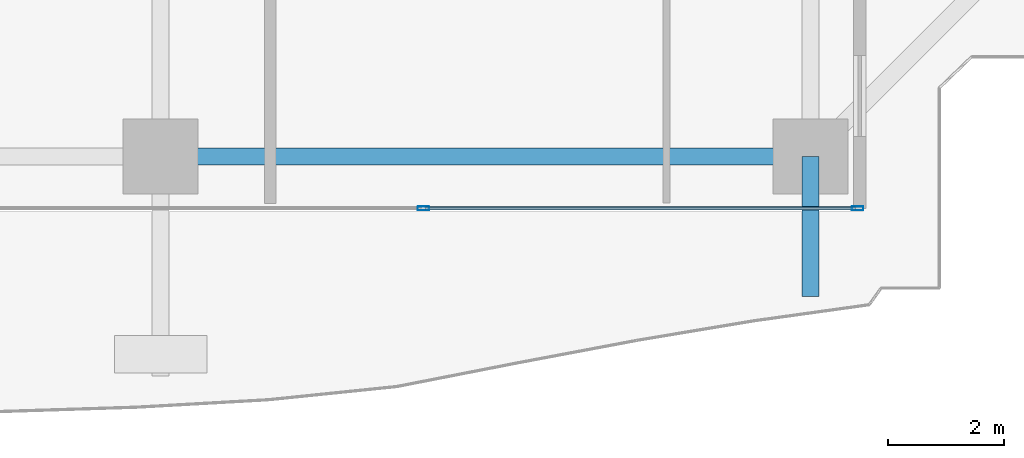
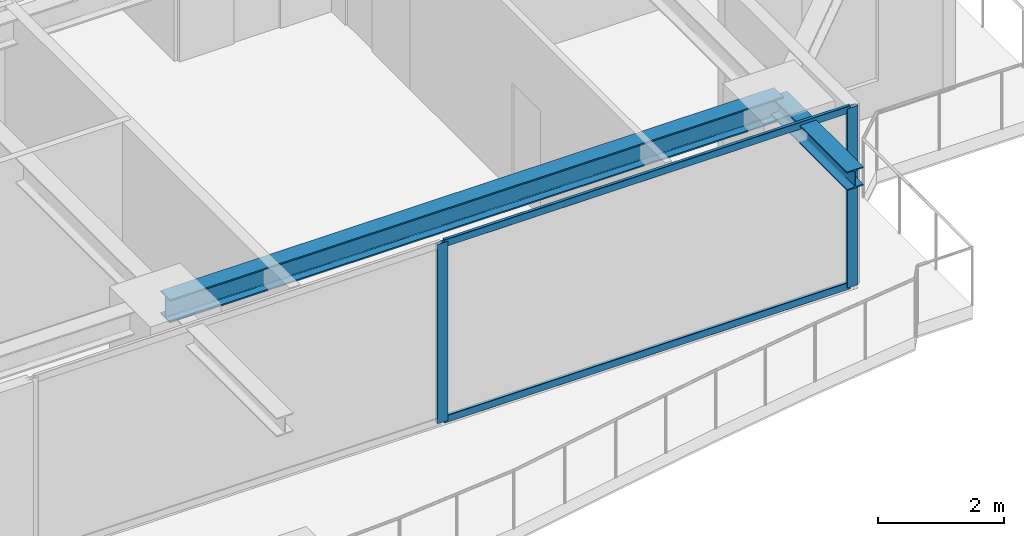
# One storey, part 10 of 35: 4 members, 2 beams, 1 element without a shape of its own.
"""IFC4 building model written with IfcOpenShell, lengths in metres."""

from ifc_helpers import new_model, si_unit, direction, frame, origin, origin_2d, place, context, subcontext, project, spatial, hollow_rectangle, i_section, extrude, source, transform, mapped, material, layer, layer_set, material_profile, profile_set, type_object, element, aggregate, save


model = new_model("IFC4")

# Units and contexts
model_context = context("Model", 3, precision=1e-05, world=origin(), true_north=direction((0.0, 1.0)))
body_context = subcontext(model_context, "Body", "Model", "MODEL_VIEW")
ifc_project = project(units=[si_unit("LENGTHUNIT", "METRE"), si_unit("AREAUNIT", "SQUARE_METRE"), si_unit("VOLUMEUNIT", "CUBIC_METRE"), si_unit("PLANEANGLEUNIT", "RADIAN"), si_unit("MASSUNIT", "GRAM", prefix="KILO")], contexts=[model_context])

# Site, building, storey
site_placement = place(None, origin())
site = spatial("IfcSite", under=ifc_project, at=site_placement, CompositionType="ELEMENT")
building_placement = place(site_placement, origin())
building = spatial("IfcBuilding", under=site, at=building_placement, Name="Serunith Strait Residences", CompositionType="ELEMENT")
storey_placement = place(building_placement, frame((0.0, 0.0, 157.64990234375)))
storey = spatial("IfcBuildingStorey", under=building, at=storey_placement, Name="L39", CompositionType="ELEMENT", Elevation=157.64990234375)

# Beams
ifc_material_1 = material(Name="Steel S355J2", Category="steel")
ifc_material_profile_1 = material_profile(ifc_material_1, i_section(OverallWidth=0.300048828125, OverallDepth=0.449951171875, WebThickness=0.013916015625, FlangeThickness=0.02587890625, FilletRadius=0.027099609375, at=origin_2d()), Name="HEB 450")
ifc_profile_set_1 = profile_set([ifc_material_profile_1], Name="Steel S355J2")
beam_type_1 = type_object("IfcBeamType", Name="BM-HEB450", PredefinedType="BEAM", material=ifc_profile_set_1)
shared_shape_1 = source(origin(), body_context, "Body", "SweptSolid", [
    extrude(i_section(OverallWidth=0.300048828125, OverallDepth=0.449951171875, WebThickness=0.013916015625, FlangeThickness=0.02587890625, FilletRadius=0.027099609375, at=origin_2d()), origin(), (0.0, 0.0, 1.0), 11.25),
])
beam_1_placement = place(storey_placement, frame((36.89990234375, 2.300048828125, 3.26220703125), z_axis=(1.0, 0.0, 0.0), x_axis=(0.0, 1.0, 0.0)))
element("IfcBeam", 1, at=beam_1_placement, inside=storey, type_object=beam_type_1, Name="L39 Perimeter Ring Beam 03", PredefinedType="BEAM", context=body_context, shape_type="MappedRepresentation", body=[
    mapped(shared_shape_1, transform((0.0, 0.0, 0.0), scale=1.0)),
])
ifc_material_profile_2 = material_profile(ifc_material_1, i_section(OverallWidth=0.300048828125, OverallDepth=0.360107421875, WebThickness=0.012451171875, FlangeThickness=0.0224609375, FilletRadius=0.027099609375, at=origin_2d()), Name="HEB 360")
ifc_profile_set_2 = profile_set([ifc_material_profile_2], Name="Steel S355J2")
beam_type_2 = type_object("IfcBeamType", Name="BM-HEB360", PredefinedType="BEAM", material=ifc_profile_set_2)
shared_shape_2 = source(origin(), body_context, "Body", "SweptSolid", [
    extrude(i_section(OverallWidth=0.300048828125, OverallDepth=0.360107421875, WebThickness=0.012451171875, FlangeThickness=0.0224609375, FilletRadius=0.027099609375, at=origin_2d()), origin(), (0.0, 0.0, 1.0), 2.425048828125),
])
beam_2_placement = place(storey_placement, frame((48.14990234375, 2.300048828125, 3.277099609375), z_axis=(0.0, -1.0, 0.0), x_axis=(1.0, 0.0, 0.0)))
element("IfcBeam", 2, at=beam_2_placement, inside=storey, type_object=beam_type_2, Name="L40 Cantilevered Balcony Rib TC-S4", PredefinedType="BEAM", context=body_context, shape_type="MappedRepresentation", body=[
    mapped(shared_shape_2, transform((0.0, 0.0, 0.0), scale=1.0)),
])

# Curtain wall, members
ifc_material_2 = material(Name="Pale-Champagne Anodised Aluminium", Category="aluminium")
ifc_layer = layer(ifc_material_2, 0.199951171875, Name="Pale-Champagne Anodised Aluminium")
ifc_layer_set = layer_set([ifc_layer], Name="Pale-Champagne Anodised Aluminium")
curtain_wall_type = type_object("IfcCurtainWallType", Name="CW-SYS2", PredefinedType="NOTDEFINED", material=ifc_layer_set)
curtain_wall_placement = place(storey_placement, origin())
curtain_wall = element("IfcCurtainWall", 3, at=curtain_wall_placement, inside=storey, type_object=curtain_wall_type, Name="L39 S Unitised Fritted Curtain Wall", PredefinedType="NOTDEFINED")
ifc_material_profile_3 = material_profile(ifc_material_2, hollow_rectangle(XDim=0.070068359375, YDim=0.199951171875, WallThickness=0.00390625, InnerFilletRadius=0.006103515625, OuterFilletRadius=0.010009765625, at=origin_2d()), Name="ALU 200x70x4")
ifc_profile_set_3 = profile_set([ifc_material_profile_3], Name="Pale-Champagne Anodised Aluminium")
member_type_1 = type_object("IfcMemberType", Name="CW-SYS2-MULL", PredefinedType="MULLION", material=ifc_profile_set_3)
shared_shape_3 = source(origin(), body_context, "Body", "SweptSolid", [
    extrude(hollow_rectangle(XDim=0.070068359375, YDim=0.199951171875, WallThickness=0.00390625, InnerFilletRadius=0.006103515625, OuterFilletRadius=0.010009765625, at=origin_2d()), origin(), (0.0, 0.0, 1.0), 3.47509765625),
])
member_1_placement = place(storey_placement, frame((41.449951171875, 1.39990234375, 0.0), z_axis=(0.0, 0.0, 1.0), x_axis=(0.0, 1.0, 0.0)))
member_1 = element("IfcMember", 4, at=member_1_placement, type_object=member_type_1, Name="CW-2 mullion 2", PredefinedType="MULLION", context=body_context, shape_type="MappedRepresentation", body=[
    mapped(shared_shape_3, transform((0.0, 0.0, 0.0), scale=1.0)),
])
member_2_placement = place(storey_placement, frame((48.965087890625, 1.39990234375, 0.0), z_axis=(0.0, 0.0, 1.0), x_axis=(0.0, 1.0, 0.0)))
member_2 = element("IfcMember", 5, at=member_2_placement, type_object=member_type_1, Name="CW-2 mullion 3", PredefinedType="MULLION", context=body_context, shape_type="MappedRepresentation", body=[
    mapped(shared_shape_3, transform((0.0, 0.0, 0.0), scale=1.0)),
])
ifc_material_profile_4 = material_profile(ifc_material_2, hollow_rectangle(XDim=0.06005859375, YDim=0.139892578125, WallThickness=0.00341796875, InnerFilletRadius=0.00537109375, OuterFilletRadius=0.0087890625, at=origin_2d()), Name="ALU 140x60x3.5")
ifc_profile_set_4 = profile_set([ifc_material_profile_4], Name="Pale-Champagne Anodised Aluminium")
member_type_2 = type_object("IfcMemberType", Name="CW-SYS2-TRAN", PredefinedType="USERDEFINED", material=ifc_profile_set_4)
shared_shape_4 = source(origin(), body_context, "Body", "SweptSolid", [
    extrude(hollow_rectangle(XDim=0.06005859375, YDim=0.139892578125, WallThickness=0.00341796875, InnerFilletRadius=0.00537109375, OuterFilletRadius=0.0087890625, at=origin_2d()), origin(), (0.0, 0.0, 1.0), 7.44482421875),
])
member_3_placement = place(storey_placement, frame((41.485107421875, 1.39990234375, 0.030029296875), z_axis=(1.0, 0.0, 0.0), x_axis=(0.0, 1.0, 0.0)))
member_3 = element("IfcMember", 6, at=member_3_placement, type_object=member_type_2, Name="CW-2 transom 2.1", ObjectType="TRANSOM", PredefinedType="USERDEFINED", context=body_context, shape_type="MappedRepresentation", body=[
    mapped(shared_shape_4, transform((0.0, 0.0, 0.0), scale=1.0)),
])
member_4_placement = place(storey_placement, frame((41.485107421875, 1.39990234375, 3.445068359375), z_axis=(1.0, 0.0, 0.0), x_axis=(0.0, 1.0, 0.0)))
member_4 = element("IfcMember", 7, at=member_4_placement, type_object=member_type_2, Name="CW-2 transom 2.2", ObjectType="TRANSOM", PredefinedType="USERDEFINED", context=body_context, shape_type="MappedRepresentation", body=[
    mapped(shared_shape_4, transform((0.0, 0.0, 0.0), scale=1.0)),
])
aggregate(curtain_wall, [member_1, member_2, member_3, member_4])

save(model, "model.ifc")
